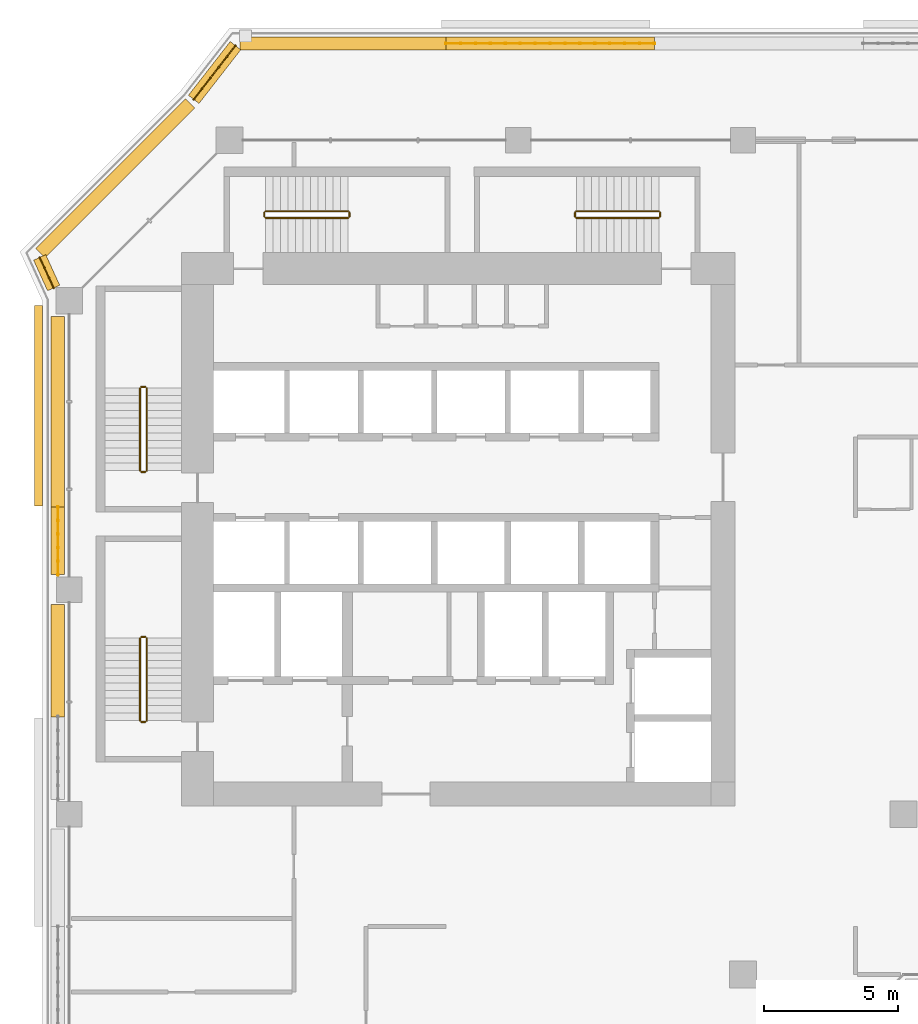
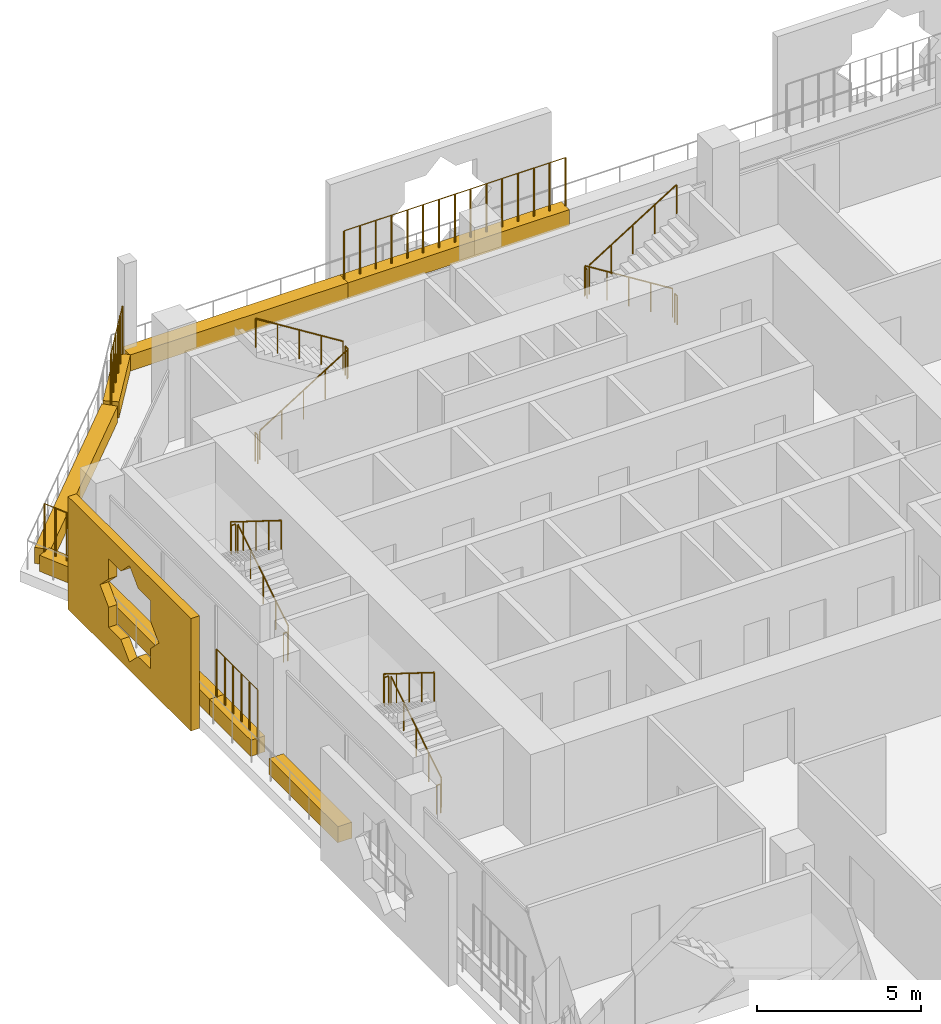
# One storey, part 20 of 23: 20 railings, 9 coverings.
"""IFC4 building model written with IfcOpenShell, lengths in metres."""

from ifc_helpers import new_model, si_unit, direction, frame, origin, origin_2d, place, context, subcontext, project, spatial, polyline, rectangle, circle, outline, extrude, material, material_profile, profile_set, type_object, element, save


model = new_model("IFC4")

# Units and contexts
model_context = context("Model", 3, precision=1e-05, world=origin(), true_north=direction((0.0, 1.0)))
body_context = subcontext(model_context, "Body", "Model", "MODEL_VIEW")
ifc_project = project(units=[si_unit("LENGTHUNIT", "METRE"), si_unit("AREAUNIT", "SQUARE_METRE"), si_unit("VOLUMEUNIT", "CUBIC_METRE"), si_unit("PLANEANGLEUNIT", "RADIAN"), si_unit("MASSUNIT", "GRAM", prefix="KILO")], contexts=[model_context])

# Site, building, storey
site_placement = place(None, origin())
site = spatial("IfcSite", under=ifc_project, at=site_placement, CompositionType="ELEMENT")
building_placement = place(site_placement, origin())
building = spatial("IfcBuilding", under=site, at=building_placement, Name="Kawkab Arch Medical Tower", CompositionType="ELEMENT")
storey_placement = place(building_placement, frame((0.0, 0.0, 158.39990234375)))
storey = spatial("IfcBuildingStorey", under=building, at=storey_placement, Name="L36", CompositionType="ELEMENT", Elevation=158.39990234375)

# Coverings
ifc_material_1 = material(Name="Bronze anodised aluminium mashrabiya panel, eight-point star pattern", Category="aluminium")
ifc_material_profile_1 = material_profile(ifc_material_1, outline(polyline([(-3.75, -2.10009765625), (3.75, -2.10009765625), (3.75, 2.10009765625), (-3.75, 2.10009765625), (-3.75, -2.10009765625)]), holes=[polyline([(1.800048828125, 0.0), (1.272705078125, 0.527099609375), (1.272705078125, 1.272705078125), (0.527099609375, 1.272705078125), (0.0, 1.800048828125), (-0.527099609375, 1.272705078125), (-1.272705078125, 1.272705078125), (-1.272705078125, 0.527099609375), (-1.800048828125, 0.0), (-1.272705078125, -0.527099609375), (-1.272705078125, -1.272705078125), (-0.527099609375, -1.272705078125), (0.0, -1.800048828125), (0.527099609375, -1.272705078125), (1.272705078125, -1.272705078125), (1.272705078125, -0.527099609375), (1.800048828125, 0.0)])]), Name="Mashrabiya panel 7500x4200")
ifc_profile_set_1 = profile_set([ifc_material_profile_1], Name="Bronze anodised aluminium mashrabiya panel, eight-point star pattern")
covering_type_1 = type_object("IfcCoveringType", Name="Mashrabiya panel 7500 x 4200", PredefinedType="USERDEFINED", material=ifc_profile_set_1)
covering_1_placement = place(storey_placement, frame((-1.0, -9.918212890625, 1.7001953125), z_axis=(-1.0, 0.0, 0.0), x_axis=(0.0, -1.0, 0.0)))
element("IfcCovering", 1, at=covering_1_placement, inside=storey, type_object=covering_type_1, Name="Mashrabiya panel L36.LOG-01-02.7", ObjectType="SCREEN", PredefinedType="USERDEFINED", context=body_context, shape_type="SweptSolid", body=[
    extrude(outline(polyline([(-3.75, -2.10009765625), (3.75, -2.10009765625), (3.75, 2.10009765625), (-3.75, 2.10009765625), (-3.75, -2.10009765625)]), holes=[polyline([(1.800048828125, 0.0), (1.272705078125, 0.527099609375), (1.272705078125, 1.272705078125), (0.527099609375, 1.272705078125), (0.0, 1.800048828125), (-0.527099609375, 1.272705078125), (-1.272705078125, 1.272705078125), (-1.272705078125, 0.527099609375), (-1.800048828125, 0.0), (-1.272705078125, -0.527099609375), (-1.272705078125, -1.272705078125), (-0.527099609375, -1.272705078125), (0.0, -1.800048828125), (0.527099609375, -1.272705078125), (1.272705078125, -1.272705078125), (1.272705078125, -0.527099609375), (1.800048828125, 0.0)])]), origin(), (0.0, 0.0, 1.0), 0.300048828125),
])
ifc_material_2 = material(Name="Planting soil in a precast trough", Category="concrete")
ifc_material_profile_2 = material_profile(ifc_material_2, rectangle(XDim=0.5, YDim=0.60009765625, at=origin_2d()), Name="Trough 500x600")
ifc_profile_set_2 = profile_set([ifc_material_profile_2], Name="Planting soil in a precast trough")
covering_type_2 = type_object("IfcCoveringType", Name="Planter trough 500 x 600", PredefinedType="USERDEFINED", material=ifc_profile_set_2)
covering_2_placement = place(storey_placement, frame((-0.419921875, -21.55810546875, 0.300048828125), z_axis=(0.0, 1.0, 0.0), x_axis=(-1.0, 0.0, 0.0)))
element("IfcCovering", 2, at=covering_2_placement, inside=storey, type_object=covering_type_2, Name="Planter L36.LOG-01-02.28", ObjectType="PLANTER", PredefinedType="USERDEFINED", context=body_context, shape_type="SweptSolid", body=[
    extrude(rectangle(XDim=0.5, YDim=0.60009765625, at=origin_2d()), origin(), (0.0, 0.0, 1.0), 4.203125),
])
covering_3_placement = place(storey_placement, frame((-0.419921875, -16.2451171875, 0.300048828125), z_axis=(0.0, 1.0, 0.0), x_axis=(-1.0, 0.0, 0.0)))
element("IfcCovering", 3, at=covering_3_placement, inside=storey, type_object=covering_type_2, Name="Planter L36.LOG-01-02.29", ObjectType="PLANTER", PredefinedType="USERDEFINED", context=body_context, shape_type="SweptSolid", body=[
    extrude(rectangle(XDim=0.5, YDim=0.60009765625, at=origin_2d()), origin(), (0.0, 0.0, 1.0), 2.529052734375),
])
covering_4_placement = place(storey_placement, frame((-0.419921875, -13.716064453125, 0.300048828125), z_axis=(0.0, 1.0, 0.0), x_axis=(-1.0, 0.0, 0.0)))
element("IfcCovering", 4, at=covering_4_placement, inside=storey, type_object=covering_type_2, Name="Planter L36.LOG-01-02.30", ObjectType="PLANTER", PredefinedType="USERDEFINED", context=body_context, shape_type="SweptSolid", body=[
    extrude(rectangle(XDim=0.5, YDim=0.60009765625, at=origin_2d()), origin(), (0.0, 0.0, 1.0), 7.135986328125),
])
covering_5_placement = place(storey_placement, frame((-0.580078125, -5.52294921875, 0.300048828125), z_axis=(-0.415089762627, 0.909780461959, 0.0), x_axis=(-0.909780461959, -0.415089762627, 0.0)))
element("IfcCovering", 5, at=covering_5_placement, inside=storey, type_object=covering_type_2, Name="Planter L36.LOG-01-02.31", ObjectType="PLANTER", PredefinedType="USERDEFINED", context=body_context, shape_type="SweptSolid", body=[
    extrude(rectangle(XDim=0.5, YDim=0.60009765625, at=origin_2d()), origin(), (0.0, 0.0, 1.0), 1.257568359375),
])
covering_6_placement = place(storey_placement, frame((-1.072998046875, -4.217041015625, 0.300048828125), z_axis=(0.707106781187, 0.707106781187, 0.0), x_axis=(-0.707106781187, 0.707106781187, 0.0)))
element("IfcCovering", 6, at=covering_6_placement, inside=storey, type_object=covering_type_2, Name="Planter L36.LOG-01-02.32", ObjectType="PLANTER", PredefinedType="USERDEFINED", context=body_context, shape_type="SweptSolid", body=[
    extrude(rectangle(XDim=0.5, YDim=0.60009765625, at=origin_2d()), origin(), (0.0, 0.0, 1.0), 7.919677734375),
])
covering_7_placement = place(storey_placement, frame((4.658935546875, 1.531982421875, 0.300048828125), z_axis=(0.61404021143, 0.789274742246, 0.0), x_axis=(-0.789274742246, 0.61404021143, 0.0)))
element("IfcCovering", 7, at=covering_7_placement, inside=storey, type_object=covering_type_2, Name="Planter L36.LOG-01-02.33", ObjectType="PLANTER", PredefinedType="USERDEFINED", context=body_context, shape_type="SweptSolid", body=[
    extrude(rectangle(XDim=0.5, YDim=0.60009765625, at=origin_2d()), origin(), (0.0, 0.0, 1.0), 2.54541015625),
])
covering_8_placement = place(storey_placement, frame((6.384033203125, 3.6201171875, 0.300048828125), z_axis=(1.0, 0.0, 0.0), x_axis=(0.0, 1.0, 0.0)))
element("IfcCovering", 8, at=covering_8_placement, inside=storey, type_object=covering_type_2, Name="Planter L36.LOG-01-02.34", ObjectType="PLANTER", PredefinedType="USERDEFINED", context=body_context, shape_type="SweptSolid", body=[
    extrude(rectangle(XDim=0.5, YDim=0.60009765625, at=origin_2d()), origin(), (0.0, 0.0, 1.0), 7.703857421875),
])
covering_9_placement = place(storey_placement, frame((14.087890625, 3.6201171875, 0.300048828125), z_axis=(1.0, 0.0, 0.0), x_axis=(0.0, 1.0, 0.0)))
element("IfcCovering", 9, at=covering_9_placement, inside=storey, type_object=covering_type_2, Name="Planter L36.LOG-01-02.35", ObjectType="PLANTER", PredefinedType="USERDEFINED", context=body_context, shape_type="SweptSolid", body=[
    extrude(rectangle(XDim=0.5, YDim=0.60009765625, at=origin_2d()), origin(), (0.0, 0.0, 1.0), 7.80517578125),
])

# Railings
ifc_material_3 = material(Name="Bronze anodised aluminium trellis for climbing plants", Category="aluminium")
railing_type_1 = type_object("IfcRailingType", Name="Planting trellis 2400", PredefinedType="USERDEFINED", material=ifc_material_3)
railing_1_placement = place(storey_placement, frame((-0.419921875, -16.2451171875, 0.0)))
element("IfcRailing", 10, at=railing_1_placement, inside=storey, type_object=railing_type_1, Name="Planting trellis L36.LOG-01-02.29", ObjectType="TRELLIS", PredefinedType="USERDEFINED", context=body_context, shape_type="SweptSolid", body=[
    extrude(circle(Radius=0.01513671875, at=origin_2d()), frame((0.0, 0.0, 2.384765625), z_axis=(0.0, 1.0, 0.0), x_axis=(-1.0, 0.0, 0.0)), (0.0, 0.0, 1.0), 2.529052734375),
    extrude(circle(Radius=0.030029296875, at=origin_2d()), origin(), (0.0, 0.0, 1.0), 2.369873046875),
    extrude(circle(Radius=0.030029296875, at=origin_2d()), frame((0.0, 0.505859375, 0.0)), (0.0, 0.0, 1.0), 2.369873046875),
    extrude(circle(Radius=0.030029296875, at=origin_2d()), frame((0.0, 1.01171875, 0.0)), (0.0, 0.0, 1.0), 2.369873046875),
    extrude(circle(Radius=0.030029296875, at=origin_2d()), frame((0.0, 1.517333984375, 0.0)), (0.0, 0.0, 1.0), 2.369873046875),
    extrude(circle(Radius=0.030029296875, at=origin_2d()), frame((0.0, 2.023193359375, 0.0)), (0.0, 0.0, 1.0), 2.369873046875),
    extrude(circle(Radius=0.030029296875, at=origin_2d()), frame((0.0, 2.529052734375, 0.0)), (0.0, 0.0, 1.0), 2.369873046875),
])
railing_2_placement = place(storey_placement, frame((-0.580078125, -5.52294921875, 0.0)))
element("IfcRailing", 11, at=railing_2_placement, inside=storey, type_object=railing_type_1, Name="Planting trellis L36.LOG-01-02.31", ObjectType="TRELLIS", PredefinedType="USERDEFINED", context=body_context, shape_type="SweptSolid", body=[
    extrude(circle(Radius=0.01513671875, at=origin_2d()), frame((0.0, 0.0, 2.384765625), z_axis=(-0.415089762627, 0.909780461959, 0.0), x_axis=(-0.909780461959, -0.415089762627, 0.0)), (0.0, 0.0, 1.0), 1.257568359375),
    extrude(circle(Radius=0.030029296875, at=origin_2d()), origin(), (0.0, 0.0, 1.0), 2.369873046875),
    extrude(circle(Radius=0.030029296875, at=origin_2d()), frame((-0.174072265625, 0.38134765625, 0.0)), (0.0, 0.0, 1.0), 2.369873046875),
    extrude(circle(Radius=0.030029296875, at=origin_2d()), frame((-0.347900390625, 0.7626953125, 0.0)), (0.0, 0.0, 1.0), 2.369873046875),
    extrude(circle(Radius=0.030029296875, at=origin_2d()), frame((-0.52197265625, 1.14404296875, 0.0)), (0.0, 0.0, 1.0), 2.369873046875),
])
railing_3_placement = place(storey_placement, frame((4.658935546875, 1.531982421875, 0.0)))
element("IfcRailing", 12, at=railing_3_placement, inside=storey, type_object=railing_type_1, Name="Planting trellis L36.LOG-01-02.33", ObjectType="TRELLIS", PredefinedType="USERDEFINED", context=body_context, shape_type="SweptSolid", body=[
    extrude(circle(Radius=0.01513671875, at=origin_2d()), frame((0.0, 0.0, 2.384765625), z_axis=(0.61404021143, 0.789274742246, 0.0), x_axis=(-0.789274742246, 0.61404021143, 0.0)), (0.0, 0.0, 1.0), 2.54541015625),
    extrude(circle(Radius=0.030029296875, at=origin_2d()), origin(), (0.0, 0.0, 1.0), 2.369873046875),
    extrude(circle(Radius=0.030029296875, at=origin_2d()), frame((0.3125, 0.40185546875, 0.0)), (0.0, 0.0, 1.0), 2.369873046875),
    extrude(circle(Radius=0.030029296875, at=origin_2d()), frame((0.625244140625, 0.8037109375, 0.0)), (0.0, 0.0, 1.0), 2.369873046875),
    extrude(circle(Radius=0.030029296875, at=origin_2d()), frame((0.937744140625, 1.205322265625, 0.0)), (0.0, 0.0, 1.0), 2.369873046875),
    extrude(circle(Radius=0.030029296875, at=origin_2d()), frame((1.25048828125, 1.607177734375, 0.0)), (0.0, 0.0, 1.0), 2.369873046875),
    extrude(circle(Radius=0.030029296875, at=origin_2d()), frame((1.56298828125, 2.009033203125, 0.0)), (0.0, 0.0, 1.0), 2.369873046875),
])
railing_4_placement = place(storey_placement, frame((14.087890625, 3.6201171875, 0.0)))
element("IfcRailing", 13, at=railing_4_placement, inside=storey, type_object=railing_type_1, Name="Planting trellis L36.LOG-01-02.35", ObjectType="TRELLIS", PredefinedType="USERDEFINED", context=body_context, shape_type="SweptSolid", body=[
    extrude(circle(Radius=0.01513671875, at=origin_2d()), frame((0.0, 0.0, 2.384765625), z_axis=(1.0, 0.0, 0.0), x_axis=(0.0, 1.0, 0.0)), (0.0, 0.0, 1.0), 7.80517578125),
    extrude(circle(Radius=0.030029296875, at=origin_2d()), origin(), (0.0, 0.0, 1.0), 2.369873046875),
    extrude(circle(Radius=0.030029296875, at=origin_2d()), frame((0.5576171875, 0.0, 0.0)), (0.0, 0.0, 1.0), 2.369873046875),
    extrude(circle(Radius=0.030029296875, at=origin_2d()), frame((1.114990234375, 0.0, 0.0)), (0.0, 0.0, 1.0), 2.369873046875),
    extrude(circle(Radius=0.030029296875, at=origin_2d()), frame((1.672607421875, 0.0, 0.0)), (0.0, 0.0, 1.0), 2.369873046875),
    extrude(circle(Radius=0.030029296875, at=origin_2d()), frame((2.22998046875, 0.0, 0.0)), (0.0, 0.0, 1.0), 2.369873046875),
    extrude(circle(Radius=0.030029296875, at=origin_2d()), frame((2.78759765625, 0.0, 0.0)), (0.0, 0.0, 1.0), 2.369873046875),
    extrude(circle(Radius=0.030029296875, at=origin_2d()), frame((3.344970703125, 0.0, 0.0)), (0.0, 0.0, 1.0), 2.369873046875),
    extrude(circle(Radius=0.030029296875, at=origin_2d()), frame((3.902587890625, 0.0, 0.0)), (0.0, 0.0, 1.0), 2.369873046875),
    extrude(circle(Radius=0.030029296875, at=origin_2d()), frame((4.460205078125, 0.0, 0.0)), (0.0, 0.0, 1.0), 2.369873046875),
    extrude(circle(Radius=0.030029296875, at=origin_2d()), frame((5.017578125, 0.0, 0.0)), (0.0, 0.0, 1.0), 2.369873046875),
    extrude(circle(Radius=0.030029296875, at=origin_2d()), frame((5.5751953125, 0.0, 0.0)), (0.0, 0.0, 1.0), 2.369873046875),
    extrude(circle(Radius=0.030029296875, at=origin_2d()), frame((6.132568359375, 0.0, 0.0)), (0.0, 0.0, 1.0), 2.369873046875),
    extrude(circle(Radius=0.030029296875, at=origin_2d()), frame((6.690185546875, 0.0, 0.0)), (0.0, 0.0, 1.0), 2.369873046875),
    extrude(circle(Radius=0.030029296875, at=origin_2d()), frame((7.24755859375, 0.0, 0.0)), (0.0, 0.0, 1.0), 2.369873046875),
    extrude(circle(Radius=0.030029296875, at=origin_2d()), frame((7.80517578125, 0.0, 0.0)), (0.0, 0.0, 1.0), 2.369873046875),
])
ifc_material_4 = material(Name="Stainless steel", Category="steel")
railing_type_2 = type_object("IfcRailingType", Name="Stair guard 1100", PredefinedType="GUARDRAIL", material=ifc_material_4)
railing_5_placement = place(storey_placement, frame((2.89990234375, -12.35009765625, 0.175048828125)))
element("IfcRailing", 14, at=railing_5_placement, inside=storey, type_object=railing_type_2, Name="L36 ST1 stair guard 1", PredefinedType="GUARDRAIL", context=body_context, shape_type="SweptSolid", body=[
    extrude(circle(Radius=0.02392578125, at=origin_2d()), frame((0.0, 0.0, 1.076171875), z_axis=(0.0, 0.847998304005, 0.529998940003), x_axis=(-1.0, 0.0, 0.0)), (0.0, 0.0, 1.0), 3.632080078125),
    extrude(circle(Radius=0.02099609375, at=origin_2d()), origin(), (0.0, 0.0, 1.0), 1.052001953125),
    extrude(circle(Radius=0.02099609375, at=origin_2d()), frame((0.0, 0.77001953125, 0.481201171875)), (0.0, 0.0, 1.0), 1.052001953125),
    extrude(circle(Radius=0.02099609375, at=origin_2d()), frame((0.0, 1.5400390625, 0.96240234375)), (0.0, 0.0, 1.0), 1.052001953125),
    extrude(circle(Radius=0.02099609375, at=origin_2d()), frame((0.0, 2.31005859375, 1.44384765625)), (0.0, 0.0, 1.0), 1.052001953125),
    extrude(circle(Radius=0.02099609375, at=origin_2d()), frame((0.0, 3.080078125, 1.925048828125)), (0.0, 0.0, 1.0), 1.052001953125),
])
railing_6_placement = place(storey_placement, frame((2.85009765625, -9.219970703125, 2.10009765625)))
element("IfcRailing", 15, at=railing_6_placement, inside=storey, type_object=railing_type_2, Name="L36 ST1 stair guard 2", PredefinedType="GUARDRAIL", context=body_context, shape_type="SweptSolid", body=[
    extrude(circle(Radius=0.02392578125, at=origin_2d()), frame((0.0, 0.0, 1.076171875), z_axis=(-1.0, 0.0, 0.0), x_axis=(0.0, -1.0, 0.0)), (0.0, 0.0, 1.0), 0.150146484375),
    extrude(circle(Radius=0.02099609375, at=origin_2d()), origin(), (0.0, 0.0, 1.0), 1.052001953125),
    extrude(circle(Radius=0.02099609375, at=origin_2d()), frame((-0.150146484375, 0.0, 0.0)), (0.0, 0.0, 1.0), 1.052001953125),
])
railing_7_placement = place(storey_placement, frame((2.64990234375, -9.27001953125, 2.275146484375)))
element("IfcRailing", 16, at=railing_7_placement, inside=storey, type_object=railing_type_2, Name="L36 ST1 stair guard 3", PredefinedType="GUARDRAIL", context=body_context, shape_type="SweptSolid", body=[
    extrude(circle(Radius=0.02392578125, at=origin_2d()), frame((0.0, 0.0, 1.076171875), z_axis=(0.0, -0.847998304005, 0.529998940003), x_axis=(1.0, 0.0, 0.0)), (0.0, 0.0, 1.0), 3.632080078125),
    extrude(circle(Radius=0.02099609375, at=origin_2d()), origin(), (0.0, 0.0, 1.0), 1.052001953125),
    extrude(circle(Radius=0.02099609375, at=origin_2d()), frame((0.0, -0.77001953125, 0.481201171875)), (0.0, 0.0, 1.0), 1.052001953125),
    extrude(circle(Radius=0.02099609375, at=origin_2d()), frame((0.0, -1.5400390625, 0.96240234375)), (0.0, 0.0, 1.0), 1.052001953125),
    extrude(circle(Radius=0.02099609375, at=origin_2d()), frame((0.0, -2.31005859375, 1.44384765625)), (0.0, 0.0, 1.0), 1.052001953125),
    extrude(circle(Radius=0.02099609375, at=origin_2d()), frame((0.0, -3.080078125, 1.925048828125)), (0.0, 0.0, 1.0), 1.052001953125),
])
railing_8_placement = place(storey_placement, frame((2.85009765625, -12.39990234375, 0.0)))
element("IfcRailing", 17, at=railing_8_placement, inside=storey, type_object=railing_type_2, Name="L36 ST1 stair guard 4", PredefinedType="GUARDRAIL", context=body_context, shape_type="SweptSolid", body=[
    extrude(circle(Radius=0.02392578125, at=origin_2d()), frame((0.0, 0.0, 1.076171875), z_axis=(-1.0, 0.0, 0.0), x_axis=(0.0, -1.0, 0.0)), (0.0, 0.0, 1.0), 0.150146484375),
    extrude(circle(Radius=0.02099609375, at=origin_2d()), origin(), (0.0, 0.0, 1.0), 1.052001953125),
    extrude(circle(Radius=0.02099609375, at=origin_2d()), frame((-0.150146484375, 0.0, 0.0)), (0.0, 0.0, 1.0), 1.052001953125),
])
railing_9_placement = place(storey_placement, frame((2.89990234375, -21.699951171875, 0.175048828125)))
element("IfcRailing", 18, at=railing_9_placement, inside=storey, type_object=railing_type_2, Name="L36 ST2 stair guard 1", PredefinedType="GUARDRAIL", context=body_context, shape_type="SweptSolid", body=[
    extrude(circle(Radius=0.02392578125, at=origin_2d()), frame((0.0, 0.0, 1.076171875), z_axis=(0.0, 0.847979421464, 0.530029150871), x_axis=(-1.0, 0.0, 0.0)), (0.0, 0.0, 1.0), 3.632080078125),
    extrude(circle(Radius=0.02099609375, at=origin_2d()), origin(), (0.0, 0.0, 1.0), 1.052001953125),
    extrude(circle(Radius=0.02099609375, at=origin_2d()), frame((0.0, 0.77001953125, 0.481201171875)), (0.0, 0.0, 1.0), 1.052001953125),
    extrude(circle(Radius=0.02099609375, at=origin_2d()), frame((0.0, 1.5400390625, 0.96240234375)), (0.0, 0.0, 1.0), 1.052001953125),
    extrude(circle(Radius=0.02099609375, at=origin_2d()), frame((0.0, 2.309814453125, 1.44384765625)), (0.0, 0.0, 1.0), 1.052001953125),
    extrude(circle(Radius=0.02099609375, at=origin_2d()), frame((0.0, 3.079833984375, 1.925048828125)), (0.0, 0.0, 1.0), 1.052001953125),
])
railing_10_placement = place(storey_placement, frame((2.85009765625, -18.570068359375, 2.10009765625)))
element("IfcRailing", 19, at=railing_10_placement, inside=storey, type_object=railing_type_2, Name="L36 ST2 stair guard 2", PredefinedType="GUARDRAIL", context=body_context, shape_type="SweptSolid", body=[
    extrude(circle(Radius=0.02392578125, at=origin_2d()), frame((0.0, 0.0, 1.076171875), z_axis=(-1.0, 0.0, 0.0), x_axis=(0.0, -1.0, 0.0)), (0.0, 0.0, 1.0), 0.150146484375),
    extrude(circle(Radius=0.02099609375, at=origin_2d()), origin(), (0.0, 0.0, 1.0), 1.052001953125),
    extrude(circle(Radius=0.02099609375, at=origin_2d()), frame((-0.150146484375, 0.0, 0.0)), (0.0, 0.0, 1.0), 1.052001953125),
])
railing_11_placement = place(storey_placement, frame((2.64990234375, -18.6201171875, 2.275146484375)))
element("IfcRailing", 20, at=railing_11_placement, inside=storey, type_object=railing_type_2, Name="L36 ST2 stair guard 3", PredefinedType="GUARDRAIL", context=body_context, shape_type="SweptSolid", body=[
    extrude(circle(Radius=0.02392578125, at=origin_2d()), frame((0.0, 0.0, 1.076171875), z_axis=(0.0, -0.847979421464, 0.530029150871), x_axis=(1.0, 0.0, 0.0)), (0.0, 0.0, 1.0), 3.632080078125),
    extrude(circle(Radius=0.02099609375, at=origin_2d()), origin(), (0.0, 0.0, 1.0), 1.052001953125),
    extrude(circle(Radius=0.02099609375, at=origin_2d()), frame((0.0, -0.77001953125, 0.481201171875)), (0.0, 0.0, 1.0), 1.052001953125),
    extrude(circle(Radius=0.02099609375, at=origin_2d()), frame((0.0, -1.5400390625, 0.96240234375)), (0.0, 0.0, 1.0), 1.052001953125),
    extrude(circle(Radius=0.02099609375, at=origin_2d()), frame((0.0, -2.309814453125, 1.44384765625)), (0.0, 0.0, 1.0), 1.052001953125),
    extrude(circle(Radius=0.02099609375, at=origin_2d()), frame((0.0, -3.079833984375, 1.925048828125)), (0.0, 0.0, 1.0), 1.052001953125),
])
railing_12_placement = place(storey_placement, frame((2.85009765625, -21.75, 0.0)))
element("IfcRailing", 21, at=railing_12_placement, inside=storey, type_object=railing_type_2, Name="L36 ST2 stair guard 4", PredefinedType="GUARDRAIL", context=body_context, shape_type="SweptSolid", body=[
    extrude(circle(Radius=0.02392578125, at=origin_2d()), frame((0.0, 0.0, 1.076171875), z_axis=(-1.0, 0.0, 0.0), x_axis=(0.0, -1.0, 0.0)), (0.0, 0.0, 1.0), 0.150146484375),
    extrude(circle(Radius=0.02099609375, at=origin_2d()), origin(), (0.0, 0.0, 1.0), 1.052001953125),
    extrude(circle(Radius=0.02099609375, at=origin_2d()), frame((-0.150146484375, 0.0, 0.0)), (0.0, 0.0, 1.0), 1.052001953125),
])
railing_13_placement = place(storey_placement, frame((7.35009765625, -2.89990234375, 0.175048828125)))
element("IfcRailing", 22, at=railing_13_placement, inside=storey, type_object=railing_type_2, Name="L36 ST3 stair guard 1", PredefinedType="GUARDRAIL", context=body_context, shape_type="SweptSolid", body=[
    extrude(circle(Radius=0.02392578125, at=origin_2d()), frame((0.0, 0.0, 1.076171875), z_axis=(0.847979421464, 0.0, 0.530029150871), x_axis=(0.0, 1.0, 0.0)), (0.0, 0.0, 1.0), 3.632080078125),
    extrude(circle(Radius=0.02099609375, at=origin_2d()), origin(), (0.0, 0.0, 1.0), 1.052001953125),
    extrude(circle(Radius=0.02099609375, at=origin_2d()), frame((0.77001953125, 0.0, 0.481201171875)), (0.0, 0.0, 1.0), 1.052001953125),
    extrude(circle(Radius=0.02099609375, at=origin_2d()), frame((1.5400390625, 0.0, 0.96240234375)), (0.0, 0.0, 1.0), 1.052001953125),
    extrude(circle(Radius=0.02099609375, at=origin_2d()), frame((2.309814453125, 0.0, 1.44384765625)), (0.0, 0.0, 1.0), 1.052001953125),
    extrude(circle(Radius=0.02099609375, at=origin_2d()), frame((3.079833984375, 0.0, 1.925048828125)), (0.0, 0.0, 1.0), 1.052001953125),
])
railing_14_placement = place(storey_placement, frame((10.47998046875, -2.85009765625, 2.10009765625)))
element("IfcRailing", 23, at=railing_14_placement, inside=storey, type_object=railing_type_2, Name="L36 ST3 stair guard 2", PredefinedType="GUARDRAIL", context=body_context, shape_type="SweptSolid", body=[
    extrude(circle(Radius=0.02392578125, at=origin_2d()), frame((0.0, 0.0, 1.076171875), z_axis=(0.0, 1.0, 0.0), x_axis=(-1.0, 0.0, 0.0)), (0.0, 0.0, 1.0), 0.150146484375),
    extrude(circle(Radius=0.02099609375, at=origin_2d()), origin(), (0.0, 0.0, 1.0), 1.052001953125),
    extrude(circle(Radius=0.02099609375, at=origin_2d()), frame((0.0, 0.150146484375, 0.0)), (0.0, 0.0, 1.0), 1.052001953125),
])
railing_15_placement = place(storey_placement, frame((10.429931640625, -2.64990234375, 2.275146484375)))
element("IfcRailing", 24, at=railing_15_placement, inside=storey, type_object=railing_type_2, Name="L36 ST3 stair guard 3", PredefinedType="GUARDRAIL", context=body_context, shape_type="SweptSolid", body=[
    extrude(circle(Radius=0.02392578125, at=origin_2d()), frame((0.0, 0.0, 1.076171875), z_axis=(-0.847979421464, 0.0, 0.530029150871), x_axis=(0.0, -1.0, 0.0)), (0.0, 0.0, 1.0), 3.632080078125),
    extrude(circle(Radius=0.02099609375, at=origin_2d()), origin(), (0.0, 0.0, 1.0), 1.052001953125),
    extrude(circle(Radius=0.02099609375, at=origin_2d()), frame((-0.77001953125, 0.0, 0.481201171875)), (0.0, 0.0, 1.0), 1.052001953125),
    extrude(circle(Radius=0.02099609375, at=origin_2d()), frame((-1.5400390625, 0.0, 0.96240234375)), (0.0, 0.0, 1.0), 1.052001953125),
    extrude(circle(Radius=0.02099609375, at=origin_2d()), frame((-2.309814453125, 0.0, 1.44384765625)), (0.0, 0.0, 1.0), 1.052001953125),
    extrude(circle(Radius=0.02099609375, at=origin_2d()), frame((-3.079833984375, 0.0, 1.925048828125)), (0.0, 0.0, 1.0), 1.052001953125),
])
railing_16_placement = place(storey_placement, frame((7.300048828125, -2.85009765625, 0.0)))
element("IfcRailing", 25, at=railing_16_placement, inside=storey, type_object=railing_type_2, Name="L36 ST3 stair guard 4", PredefinedType="GUARDRAIL", context=body_context, shape_type="SweptSolid", body=[
    extrude(circle(Radius=0.02392578125, at=origin_2d()), frame((0.0, 0.0, 1.076171875), z_axis=(0.0, 1.0, 0.0), x_axis=(-1.0, 0.0, 0.0)), (0.0, 0.0, 1.0), 0.150146484375),
    extrude(circle(Radius=0.02099609375, at=origin_2d()), origin(), (0.0, 0.0, 1.0), 1.052001953125),
    extrude(circle(Radius=0.02099609375, at=origin_2d()), frame((0.0, 0.150146484375, 0.0)), (0.0, 0.0, 1.0), 1.052001953125),
])
railing_17_placement = place(storey_placement, frame((22.050048828125, -2.64990234375, 0.175048828125)))
element("IfcRailing", 26, at=railing_17_placement, inside=storey, type_object=railing_type_2, Name="L36 ST4 stair guard 1", PredefinedType="GUARDRAIL", context=body_context, shape_type="SweptSolid", body=[
    extrude(circle(Radius=0.02392578125, at=origin_2d()), frame((0.0, 0.0, 1.076171875), z_axis=(-0.847998304005, 0.0, 0.529998940003), x_axis=(0.0, -1.0, 0.0)), (0.0, 0.0, 1.0), 3.632080078125),
    extrude(circle(Radius=0.02099609375, at=origin_2d()), origin(), (0.0, 0.0, 1.0), 1.052001953125),
    extrude(circle(Radius=0.02099609375, at=origin_2d()), frame((-0.77001953125, 0.0, 0.481201171875)), (0.0, 0.0, 1.0), 1.052001953125),
    extrude(circle(Radius=0.02099609375, at=origin_2d()), frame((-1.5400390625, 0.0, 0.96240234375)), (0.0, 0.0, 1.0), 1.052001953125),
    extrude(circle(Radius=0.02099609375, at=origin_2d()), frame((-2.31005859375, 0.0, 1.44384765625)), (0.0, 0.0, 1.0), 1.052001953125),
    extrude(circle(Radius=0.02099609375, at=origin_2d()), frame((-3.080078125, 0.0, 1.925048828125)), (0.0, 0.0, 1.0), 1.052001953125),
])
railing_18_placement = place(storey_placement, frame((18.919921875, -2.699951171875, 2.10009765625)))
element("IfcRailing", 27, at=railing_18_placement, inside=storey, type_object=railing_type_2, Name="L36 ST4 stair guard 2", PredefinedType="GUARDRAIL", context=body_context, shape_type="SweptSolid", body=[
    extrude(circle(Radius=0.02392578125, at=origin_2d()), frame((0.0, 0.0, 1.076171875), z_axis=(0.0, -1.0, 0.0), x_axis=(1.0, 0.0, 0.0)), (0.0, 0.0, 1.0), 0.150146484375),
    extrude(circle(Radius=0.02099609375, at=origin_2d()), origin(), (0.0, 0.0, 1.0), 1.052001953125),
    extrude(circle(Radius=0.02099609375, at=origin_2d()), frame((0.0, -0.150146484375, 0.0)), (0.0, 0.0, 1.0), 1.052001953125),
])
railing_19_placement = place(storey_placement, frame((18.969970703125, -2.89990234375, 2.275146484375)))
element("IfcRailing", 28, at=railing_19_placement, inside=storey, type_object=railing_type_2, Name="L36 ST4 stair guard 3", PredefinedType="GUARDRAIL", context=body_context, shape_type="SweptSolid", body=[
    extrude(circle(Radius=0.02392578125, at=origin_2d()), frame((0.0, 0.0, 1.076171875), z_axis=(0.847998304005, 0.0, 0.529998940003), x_axis=(0.0, 1.0, 0.0)), (0.0, 0.0, 1.0), 3.632080078125),
    extrude(circle(Radius=0.02099609375, at=origin_2d()), origin(), (0.0, 0.0, 1.0), 1.052001953125),
    extrude(circle(Radius=0.02099609375, at=origin_2d()), frame((0.77001953125, 0.0, 0.481201171875)), (0.0, 0.0, 1.0), 1.052001953125),
    extrude(circle(Radius=0.02099609375, at=origin_2d()), frame((1.5400390625, 0.0, 0.96240234375)), (0.0, 0.0, 1.0), 1.052001953125),
    extrude(circle(Radius=0.02099609375, at=origin_2d()), frame((2.31005859375, 0.0, 1.44384765625)), (0.0, 0.0, 1.0), 1.052001953125),
    extrude(circle(Radius=0.02099609375, at=origin_2d()), frame((3.080078125, 0.0, 1.925048828125)), (0.0, 0.0, 1.0), 1.052001953125),
])
railing_20_placement = place(storey_placement, frame((22.10009765625, -2.699951171875, 0.0)))
element("IfcRailing", 29, at=railing_20_placement, inside=storey, type_object=railing_type_2, Name="L36 ST4 stair guard 4", PredefinedType="GUARDRAIL", context=body_context, shape_type="SweptSolid", body=[
    extrude(circle(Radius=0.02392578125, at=origin_2d()), frame((0.0, 0.0, 1.076171875), z_axis=(0.0, -1.0, 0.0), x_axis=(1.0, 0.0, 0.0)), (0.0, 0.0, 1.0), 0.150146484375),
    extrude(circle(Radius=0.02099609375, at=origin_2d()), origin(), (0.0, 0.0, 1.0), 1.052001953125),
    extrude(circle(Radius=0.02099609375, at=origin_2d()), frame((0.0, -0.150146484375, 0.0)), (0.0, 0.0, 1.0), 1.052001953125),
])

save(model, "model.ifc")
